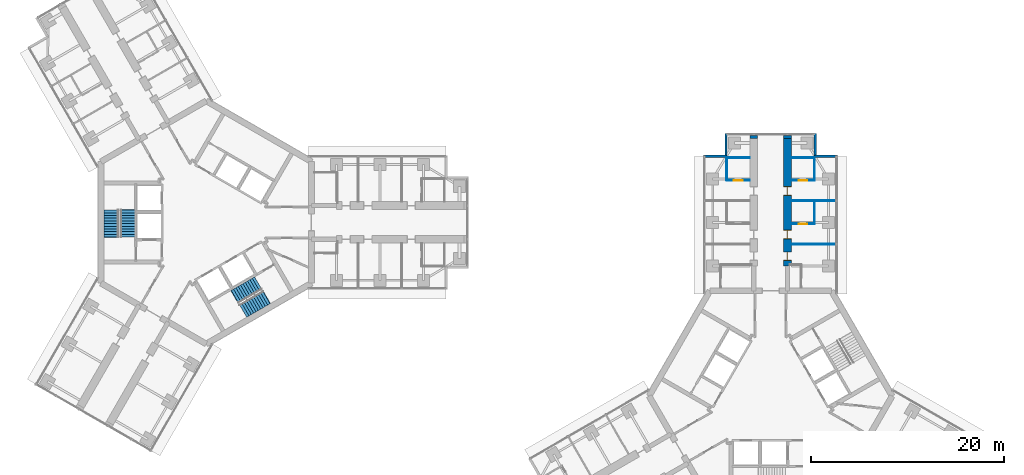
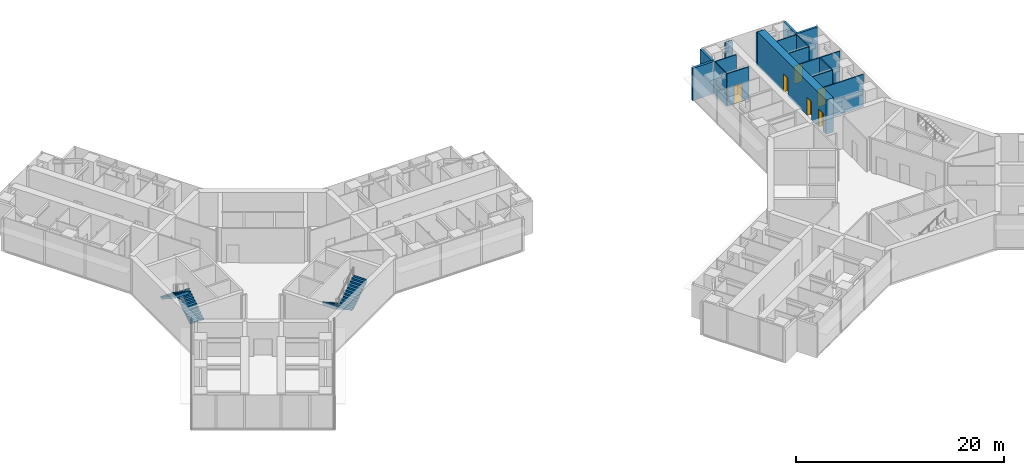
# One storey, part 21 of 23: 17 walls, 6 doors, 4 stair flights, 6 openings, 2 elements without a shape of their own.
"""IFC4 building model written with IfcOpenShell, lengths in metres."""

from ifc_helpers import new_model, si_unit, direction, frame, frame_2d, origin, place, context, subcontext, project, spatial, polyline, rectangle, outline, extrude, material, layer, layer_set, type_object, element, fill, aggregate, save


model = new_model("IFC4")

# Units and contexts
model_context = context("Model", 3, precision=1e-05, world=origin(), true_north=direction((0.0, 1.0)))
body_context = subcontext(model_context, "Body", "Model", "MODEL_VIEW")
ifc_project = project(units=[si_unit("LENGTHUNIT", "METRE"), si_unit("AREAUNIT", "SQUARE_METRE"), si_unit("VOLUMEUNIT", "CUBIC_METRE"), si_unit("PLANEANGLEUNIT", "RADIAN"), si_unit("MASSUNIT", "GRAM", prefix="KILO")], contexts=[model_context])

# Site, building, storey
site_placement = place(None, origin())
site = spatial("IfcSite", under=ifc_project, at=site_placement, CompositionType="ELEMENT")
building_placement = place(site_placement, origin())
building = spatial("IfcBuilding", under=site, at=building_placement, Name="Upepo Twin Towers", CompositionType="ELEMENT")
storey_placement = place(building_placement, frame((0.0, 0.0, 153.5)))
storey = spatial("IfcBuildingStorey", under=building, at=storey_placement, Name="L37", CompositionType="ELEMENT", Elevation=153.5)

# Walls
ifc_material_1 = material(Name="Dense concrete blockwork", Category="masonry")
ifc_layer_1 = layer(ifc_material_1, 0.800048828125)
ifc_layer_set_1 = layer_set([ifc_layer_1], Name="Buttress closer 800, blockwork with fire-stopping to the curtain wall")
wall_type_1 = type_object("IfcWallType", Name="Buttress closer 800, blockwork with fire-stopping to the curtain wall", PredefinedType="PARTITIONING", material=ifc_layer_set_1)
for number, where, z_axis, x_axis, name in (
    (1, (56.75, 8.699951171875, 0.0), (0.0, 0.0, 1.0), (0.0, 1.0, 0.0), "T2 L37 wing A buttress closer L"),
    (2, (60.25, 8.699951171875, 0.0), (0.0, 0.0, 1.0), (0.0, 1.0, 0.0), "T2 L37 wing A buttress closer R"),
):
    element("IfcWall", number, at=place(storey_placement, frame(where, z_axis=z_axis, x_axis=x_axis)), inside=storey, type_object=wall_type_1, Name=name, PredefinedType="PARTITIONING", context=body_context, shape_type="SweptSolid", body=[
        extrude(rectangle(XDim=0.300048828125, YDim=0.800048828125, at=frame_2d((0.14990234375, 0.0))), origin(), (0.0, 0.0, 1.0), 3.800048828125),
    ])

# Wall, openings, doors
ifc_material_2 = material(Name="Concrete C60/75", Category="concrete")
ifc_layer_2 = layer(ifc_material_2, 0.800048828125)
ifc_layer_set_2 = layer_set([ifc_layer_2], Name="Concrete C60/75")
wall_type_2 = type_object("IfcWallType", Name="Buttress wall 800 RC", PredefinedType="SHEAR", material=ifc_layer_set_2)
wall_1_placement = place(storey_placement, frame((60.25, -4.5, 0.0), z_axis=(0.0, 0.0, 1.0), x_axis=(0.0, 1.0, 0.0)))
wall_1 = element("IfcWall", 3, at=wall_1_placement, inside=storey, type_object=wall_type_2, Name="T2 wing A buttress wall R part 2", PredefinedType="SHEAR", context=body_context, shape_type="SweptSolid", body=[
    extrude(rectangle(XDim=13.199951171875, YDim=0.800048828125, at=frame_2d((6.60009765625, 0.0))), origin(), (0.0, 0.0, 1.0), 4.0),
])
opening_1_placement = place(wall_1_placement, frame((0.550048828125, 0.0, 0.0)))
opening_1 = element("IfcOpeningElement", 4, at=opening_1_placement, cuts=wall_1, Name="Opening D11", PredefinedType="OPENING", context=body_context, shape_type="SweptSolid", body=[
    extrude(rectangle(XDim=0.89990234375, YDim=2.10009765625, at=frame_2d((0.449951171875, 1.050048828125))), frame((0.0, 0.409912109375, 0.0), z_axis=(0.0, -1.0, 0.0), x_axis=(1.0, 0.0, 0.0)), (0.0, 0.0, 1.0), 0.820068359375),
])
opening_2_placement = place(wall_1_placement, frame((2.800048828125, 0.0, 0.0)))
opening_2 = element("IfcOpeningElement", 5, at=opening_2_placement, cuts=wall_1, Name="Opening D14", PredefinedType="OPENING", context=body_context, shape_type="SweptSolid", body=[
    extrude(rectangle(XDim=0.89990234375, YDim=2.10009765625, at=frame_2d((0.449951171875, 1.050048828125))), frame((0.0, 0.409912109375, 0.0), z_axis=(0.0, -1.0, 0.0), x_axis=(1.0, 0.0, 0.0)), (0.0, 0.0, 1.0), 0.820068359375),
])
opening_3_placement = place(wall_1_placement, frame((7.300048828125, 0.0, 0.0)))
opening_3 = element("IfcOpeningElement", 6, at=opening_3_placement, cuts=wall_1, Name="Opening D14", PredefinedType="OPENING", context=body_context, shape_type="SweptSolid", body=[
    extrude(rectangle(XDim=0.89990234375, YDim=2.10009765625, at=frame_2d((0.449951171875, 1.050048828125))), frame((0.0, 0.409912109375, 0.0), z_axis=(0.0, -1.0, 0.0), x_axis=(1.0, 0.0, 0.0)), (0.0, 0.0, 1.0), 0.820068359375),
])
ifc_material_3 = material(Name="Timber doorset", Category="wood")
door_type_1 = type_object("IfcDoorType", Name="Office door 900 FD30", OperationType="SINGLE_SWING_LEFT", PredefinedType="DOOR", material=ifc_material_3)
door_1_placement = place(opening_2_placement, origin())
door_1 = element("IfcDoor", 7, at=door_1_placement, inside=storey, type_object=door_type_1, Name="T2 L37 staff office door", OperationType="SINGLE_SWING_LEFT", OverallHeight=2.10009765625, OverallWidth=0.89990234375, PredefinedType="DOOR", context=body_context, shape_type="SweptSolid", body=[
    extrude(rectangle(XDim=0.81990234375, YDim=2.06009765625, at=frame_2d((0.449951171875, 1.030029296875))), frame((0.0, 0.02490234375, 0.0), z_axis=(0.0, -1.0, 0.0), x_axis=(1.0, 0.0, 0.0)), (0.0, 0.0, 1.0), 0.050048828125),
    extrude(rectangle(XDim=0.04, YDim=2.10009765625, at=frame_2d((0.02001953125, 1.050048828125))), frame((0.0, 0.39990234375, 0.0), z_axis=(0.0, -1.0, 0.0), x_axis=(1.0, 0.0, 0.0)), (0.0, 0.0, 1.0), 0.799560546875),
    extrude(rectangle(XDim=0.04, YDim=2.10009765625, at=frame_2d((0.8798828125, 1.050048828125))), frame((0.0, 0.39990234375, 0.0), z_axis=(0.0, -1.0, 0.0), x_axis=(1.0, 0.0, 0.0)), (0.0, 0.0, 1.0), 0.799560546875),
    extrude(rectangle(XDim=0.81990234375, YDim=0.04, at=frame_2d((0.449951171875, 2.080078125))), frame((0.0, 0.39990234375, 0.0), z_axis=(0.0, -1.0, 0.0), x_axis=(1.0, 0.0, 0.0)), (0.0, 0.0, 1.0), 0.799560546875),
])
fill(opening_2, door_1)
door_2_placement = place(opening_3_placement, origin())
door_2 = element("IfcDoor", 8, at=door_2_placement, inside=storey, type_object=door_type_1, Name="T2 L37 postgraduate office door", OperationType="SINGLE_SWING_RIGHT", OverallHeight=2.10009765625, OverallWidth=0.89990234375, PredefinedType="DOOR", context=body_context, shape_type="SweptSolid", body=[
    extrude(rectangle(XDim=0.81990234375, YDim=2.06009765625, at=frame_2d((0.449951171875, 1.030029296875))), frame((0.0, 0.02490234375, 0.0), z_axis=(0.0, -1.0, 0.0), x_axis=(1.0, 0.0, 0.0)), (0.0, 0.0, 1.0), 0.050048828125),
    extrude(rectangle(XDim=0.04, YDim=2.10009765625, at=frame_2d((0.02001953125, 1.050048828125))), frame((0.0, 0.39990234375, 0.0), z_axis=(0.0, -1.0, 0.0), x_axis=(1.0, 0.0, 0.0)), (0.0, 0.0, 1.0), 0.799560546875),
    extrude(rectangle(XDim=0.04, YDim=2.10009765625, at=frame_2d((0.8798828125, 1.050048828125))), frame((0.0, 0.39990234375, 0.0), z_axis=(0.0, -1.0, 0.0), x_axis=(1.0, 0.0, 0.0)), (0.0, 0.0, 1.0), 0.799560546875),
    extrude(rectangle(XDim=0.81990234375, YDim=0.04, at=frame_2d((0.449951171875, 2.080078125))), frame((0.0, 0.39990234375, 0.0), z_axis=(0.0, -1.0, 0.0), x_axis=(1.0, 0.0, 0.0)), (0.0, 0.0, 1.0), 0.799560546875),
])
fill(opening_3, door_2)
ifc_material_4 = material(Name="Timber doorset", Category="wood")
door_type_2 = type_object("IfcDoorType", Name="Toilet door 900", OperationType="SINGLE_SWING_LEFT", PredefinedType="DOOR", material=ifc_material_4)
door_3_placement = place(opening_1_placement, origin())
door_3 = element("IfcDoor", 9, at=door_3_placement, inside=storey, type_object=door_type_2, Name="T2 L37 toilets door", OperationType="SINGLE_SWING_LEFT", OverallHeight=2.10009765625, OverallWidth=0.89990234375, PredefinedType="DOOR", context=body_context, shape_type="SweptSolid", body=[
    extrude(rectangle(XDim=0.81990234375, YDim=2.06009765625, at=frame_2d((0.449951171875, 1.030029296875))), frame((0.0, 0.02490234375, 0.0), z_axis=(0.0, -1.0, 0.0), x_axis=(1.0, 0.0, 0.0)), (0.0, 0.0, 1.0), 0.050048828125),
    extrude(rectangle(XDim=0.04, YDim=2.10009765625, at=frame_2d((0.02001953125, 1.050048828125))), frame((0.0, 0.39990234375, 0.0), z_axis=(0.0, -1.0, 0.0), x_axis=(1.0, 0.0, 0.0)), (0.0, 0.0, 1.0), 0.799560546875),
    extrude(rectangle(XDim=0.04, YDim=2.10009765625, at=frame_2d((0.8798828125, 1.050048828125))), frame((0.0, 0.39990234375, 0.0), z_axis=(0.0, -1.0, 0.0), x_axis=(1.0, 0.0, 0.0)), (0.0, 0.0, 1.0), 0.799560546875),
    extrude(rectangle(XDim=0.81990234375, YDim=0.04, at=frame_2d((0.449951171875, 2.080078125))), frame((0.0, 0.39990234375, 0.0), z_axis=(0.0, -1.0, 0.0), x_axis=(1.0, 0.0, 0.0)), (0.0, 0.0, 1.0), 0.799560546875),
])
fill(opening_1, door_3)

# Walls
ifc_material_5 = material(Name="Blockwork with anodised aluminium cladding", Category="masonry")
ifc_layer_3 = layer(ifc_material_5, 0.25)
ifc_layer_set_3 = layer_set([ifc_layer_3], Name="Notch cladding wall 250, pale metal")
wall_type_3 = type_object("IfcWallType", Name="Notch cladding wall 250, pale metal", PredefinedType="STANDARD", material=ifc_layer_set_3)
for number, where, z_axis, x_axis, name in (
    (10, (51.550048828125, 6.875, 0.0), (0.0, 0.0, 1.0), (1.0, 0.0, 0.0), "T2 L37 wing A notch wall L1"),
    (11, (53.875, 6.875, 0.0), (0.0, 0.0, 1.0), (0.0, 1.0, 0.0), "T2 L37 wing A notch wall L2"),
    (12, (65.449951171875, 6.875, 0.0), (0.0, 0.0, 1.0), (-1.0, 0.0, 0.0), "T2 L37 wing A notch wall R1"),
    (13, (63.125, 6.875, 0.0), (0.0, 0.0, 1.0), (0.0, 1.0, 0.0), "T2 L37 wing A notch wall R2"),
):
    element("IfcWall", number, at=place(storey_placement, frame(where, z_axis=z_axis, x_axis=x_axis)), inside=storey, type_object=wall_type_3, Name=name, PredefinedType="STANDARD", context=body_context, shape_type="SweptSolid", body=[
        extrude(rectangle(XDim=2.324951171875, YDim=0.25, at=frame_2d((1.16259765625, 0.0))), origin(), (0.0, 0.0, 1.0), 3.800048828125),
    ])
ifc_material_6 = material(Name="Gypsum board on steel studs", Category="steel")
ifc_layer_4 = layer(ifc_material_6, 0.10009765625)
ifc_layer_set_4 = layer_set([ifc_layer_4], Name="Office partition 100 stud")
wall_type_4 = type_object("IfcWallType", Name="Office partition 100 stud", PredefinedType="PARTITIONING", material=ifc_layer_set_4)
wall_2_placement = place(storey_placement, frame((53.949951171875, 4.35009765625, 0.0), z_axis=(0.0, 0.0, 1.0), x_axis=(0.0, 1.0, 0.0)))
element("IfcWall", 14, at=wall_2_placement, inside=storey, type_object=wall_type_4, Name="T2 inner room partition AL at 22.35", PredefinedType="PARTITIONING", context=body_context, shape_type="SweptSolid", body=[
    extrude(rectangle(XDim=2.39990234375, YDim=0.10009765625, at=frame_2d((1.199951171875, 0.0))), origin(), (0.0, 0.0, 1.0), 3.800048828125),
])

# Wall, opening, door
wall_3_placement = place(storey_placement, frame((56.35009765625, 4.35009765625, 0.0), z_axis=(0.0, 0.0, 1.0), x_axis=(-1.0, 0.0, 0.0)))
wall_3 = element("IfcWall", 15, at=wall_3_placement, inside=storey, type_object=wall_type_4, Name="T2 inner room partition AL end at 22.35", PredefinedType="PARTITIONING", context=body_context, shape_type="SweptSolid", body=[
    extrude(rectangle(XDim=2.400146484375, YDim=0.10009765625, at=frame_2d((1.2001953125, 0.0))), origin(), (0.0, 0.0, 1.0), 3.800048828125),
])
opening_4_placement = place(wall_3_placement, frame((0.75, 0.0, 0.0)))
opening_4 = element("IfcOpeningElement", 16, at=opening_4_placement, cuts=wall_3, Name="Opening D14", PredefinedType="OPENING", context=body_context, shape_type="SweptSolid", body=[
    extrude(rectangle(XDim=0.89990234375, YDim=2.10009765625, at=frame_2d((0.449951171875, 1.050048828125))), frame((0.0, 0.06005859375, 0.0), z_axis=(0.0, -1.0, 0.0), x_axis=(1.0, 0.0, 0.0)), (0.0, 0.0, 1.0), 0.1201171875),
])
door_4_placement = place(opening_4_placement, origin())
door_4 = element("IfcDoor", 17, at=door_4_placement, inside=storey, type_object=door_type_1, Name="T2 L37 inner room door", OperationType="SINGLE_SWING_LEFT", OverallHeight=2.10009765625, OverallWidth=0.89990234375, PredefinedType="DOOR", context=body_context, shape_type="SweptSolid", body=[
    extrude(rectangle(XDim=0.89990234375, YDim=2.10009765625, at=frame_2d((0.449951171875, 1.050048828125))), frame((0.0, 0.02490234375, 0.0), z_axis=(0.0, -1.0, 0.0), x_axis=(1.0, 0.0, 0.0)), (0.0, 0.0, 1.0), 0.050048828125),
])
fill(opening_4, door_4)

# Walls
wall_4_placement = place(storey_placement, frame((56.35009765625, 6.699951171875, 0.0), z_axis=(0.0, 0.0, 1.0), x_axis=(-1.0, 0.0, 0.0)))
element("IfcWall", 18, at=wall_4_placement, inside=storey, type_object=wall_type_4, Name="T2 inner room partition AL end at 24.75", PredefinedType="PARTITIONING", context=body_context, shape_type="SweptSolid", body=[
    extrude(rectangle(XDim=2.400146484375, YDim=0.10009765625, at=frame_2d((1.2001953125, 0.0))), origin(), (0.0, 0.0, 1.0), 3.800048828125),
])
for number, where, z_axis, x_axis, name in (
    (19, (60.64990234375, -2.25, 0.0), (0.0, 0.0, 1.0), (1.0, 0.0, 0.0), "T2 partition AR at 15.75"),
    (20, (60.64990234375, 2.25, 0.0), (0.0, 0.0, 1.0), (1.0, 0.0, 0.0), "T2 partition AR at 20.25"),
):
    element("IfcWall", number, at=place(storey_placement, frame(where, z_axis=z_axis, x_axis=x_axis)), inside=storey, type_object=wall_type_4, Name=name, PredefinedType="PARTITIONING", context=body_context, shape_type="SweptSolid", body=[
        extrude(rectangle(XDim=4.60009765625, YDim=0.10009765625, at=frame_2d((2.300048828125, 0.0))), origin(), (0.0, 0.0, 1.0), 3.800048828125),
    ])
wall_5_placement = place(storey_placement, frame((63.050048828125, -0.14990234375, 0.0), z_axis=(0.0, 0.0, 1.0), x_axis=(0.0, 1.0, 0.0)))
element("IfcWall", 21, at=wall_5_placement, inside=storey, type_object=wall_type_4, Name="T2 inner room partition AR at 17.85", PredefinedType="PARTITIONING", context=body_context, shape_type="SweptSolid", body=[
    extrude(rectangle(XDim=2.39990234375, YDim=0.10009765625, at=frame_2d((1.199951171875, 0.0))), origin(), (0.0, 0.0, 1.0), 3.800048828125),
])

# Wall, opening, door
wall_6_placement = place(storey_placement, frame((60.64990234375, -0.14990234375, 0.0), z_axis=(0.0, 0.0, 1.0), x_axis=(1.0, 0.0, 0.0)))
wall_6 = element("IfcWall", 22, at=wall_6_placement, inside=storey, type_object=wall_type_4, Name="T2 inner room partition AR end at 17.85", PredefinedType="PARTITIONING", context=body_context, shape_type="SweptSolid", body=[
    extrude(rectangle(XDim=2.400146484375, YDim=0.10009765625, at=frame_2d((1.2001953125, 0.0))), origin(), (0.0, 0.0, 1.0), 3.800048828125),
])
opening_5_placement = place(wall_6_placement, frame((0.75, 0.0, 0.0)))
opening_5 = element("IfcOpeningElement", 23, at=opening_5_placement, cuts=wall_6, Name="Opening D14", PredefinedType="OPENING", context=body_context, shape_type="SweptSolid", body=[
    extrude(rectangle(XDim=0.89990234375, YDim=2.10009765625, at=frame_2d((0.449951171875, 1.050048828125))), frame((0.0, 0.06005859375, 0.0), z_axis=(0.0, -1.0, 0.0), x_axis=(1.0, 0.0, 0.0)), (0.0, 0.0, 1.0), 0.1201171875),
])
door_5_placement = place(opening_5_placement, origin())
door_5 = element("IfcDoor", 24, at=door_5_placement, inside=storey, type_object=door_type_1, Name="T2 L37 inner room door", OperationType="SINGLE_SWING_LEFT", OverallHeight=2.10009765625, OverallWidth=0.89990234375, PredefinedType="DOOR", context=body_context, shape_type="SweptSolid", body=[
    extrude(rectangle(XDim=0.89990234375, YDim=2.10009765625, at=frame_2d((0.449951171875, 1.050048828125))), frame((0.0, 0.02490234375, 0.0), z_axis=(0.0, -1.0, 0.0), x_axis=(1.0, 0.0, 0.0)), (0.0, 0.0, 1.0), 0.050048828125),
])
fill(opening_5, door_5)

# Wall
wall_7_placement = place(storey_placement, frame((63.050048828125, 4.35009765625, 0.0), z_axis=(0.0, 0.0, 1.0), x_axis=(0.0, 1.0, 0.0)))
element("IfcWall", 25, at=wall_7_placement, inside=storey, type_object=wall_type_4, Name="T2 inner room partition AR at 22.35", PredefinedType="PARTITIONING", context=body_context, shape_type="SweptSolid", body=[
    extrude(rectangle(XDim=2.39990234375, YDim=0.10009765625, at=frame_2d((1.199951171875, 0.0))), origin(), (0.0, 0.0, 1.0), 3.800048828125),
])

# Wall, opening, door
wall_8_placement = place(storey_placement, frame((60.64990234375, 4.35009765625, 0.0), z_axis=(0.0, 0.0, 1.0), x_axis=(1.0, 0.0, 0.0)))
wall_8 = element("IfcWall", 26, at=wall_8_placement, inside=storey, type_object=wall_type_4, Name="T2 inner room partition AR end at 22.35", PredefinedType="PARTITIONING", context=body_context, shape_type="SweptSolid", body=[
    extrude(rectangle(XDim=2.400146484375, YDim=0.10009765625, at=frame_2d((1.2001953125, 0.0))), origin(), (0.0, 0.0, 1.0), 3.800048828125),
])
opening_6_placement = place(wall_8_placement, frame((0.75, 0.0, 0.0)))
opening_6 = element("IfcOpeningElement", 27, at=opening_6_placement, cuts=wall_8, Name="Opening D14", PredefinedType="OPENING", context=body_context, shape_type="SweptSolid", body=[
    extrude(rectangle(XDim=0.89990234375, YDim=2.10009765625, at=frame_2d((0.449951171875, 1.050048828125))), frame((0.0, 0.06005859375, 0.0), z_axis=(0.0, -1.0, 0.0), x_axis=(1.0, 0.0, 0.0)), (0.0, 0.0, 1.0), 0.1201171875),
])
door_6_placement = place(opening_6_placement, origin())
door_6 = element("IfcDoor", 28, at=door_6_placement, inside=storey, type_object=door_type_1, Name="T2 L37 inner room door", OperationType="SINGLE_SWING_LEFT", OverallHeight=2.10009765625, OverallWidth=0.89990234375, PredefinedType="DOOR", context=body_context, shape_type="SweptSolid", body=[
    extrude(rectangle(XDim=0.89990234375, YDim=2.10009765625, at=frame_2d((0.449951171875, 1.050048828125))), frame((0.0, 0.02490234375, 0.0), z_axis=(0.0, -1.0, 0.0), x_axis=(1.0, 0.0, 0.0)), (0.0, 0.0, 1.0), 0.050048828125),
])
fill(opening_6, door_6)

# Wall
wall_9_placement = place(storey_placement, frame((60.64990234375, 6.699951171875, 0.0), z_axis=(0.0, 0.0, 1.0), x_axis=(1.0, 0.0, 0.0)))
element("IfcWall", 29, at=wall_9_placement, inside=storey, type_object=wall_type_4, Name="T2 inner room partition AR end at 24.75", PredefinedType="PARTITIONING", context=body_context, shape_type="SweptSolid", body=[
    extrude(rectangle(XDim=2.400146484375, YDim=0.10009765625, at=frame_2d((1.2001953125, 0.0))), origin(), (0.0, 0.0, 1.0), 3.800048828125),
])

# Stair, stair flights
ifc_material_7 = material(Name="Concrete C40/50", Category="concrete")
stair_type = type_object("IfcStairType", Name="Core stair, two flights", PredefinedType="HALF_TURN_STAIR", material=ifc_material_7)
stair_1_placement = place(storey_placement, origin())
stair_1 = element("IfcStair", 30, at=stair_1_placement, inside=storey, type_object=stair_type, Name="T1 stair S1 L37", PredefinedType="HALF_TURN_STAIR")
ifc_material_8 = material(Name="Concrete C40/50", Category="concrete")
stair_flight_type = type_object("IfcStairFlightType", Name="Stair flight 1500 RC", PredefinedType="STRAIGHT", material=ifc_material_8)
stair_flight_1_placement = place(storey_placement, frame((-8.14990234375, -1.52001953125, 0.0), z_axis=(0.0, 0.0, 1.0), x_axis=(0.0, 1.0, 0.0)))
stair_flight_1 = element("IfcStairFlight", 31, at=stair_flight_1_placement, type_object=stair_flight_type, Name="Stair S1 flight 1", NumberOfRisers=11, NumberOfTreads=10, PredefinedType="STRAIGHT", RiserHeight=0.181818182, TreadLength=0.28, context=body_context, shape_type="SweptSolid", body=[
    extrude(outline(polyline([(0.0, 0.0), (0.0, 0.181884765625), (0.280029296875, 0.181884765625), (0.280029296875, 0.363525390625), (0.56005859375, 0.363525390625), (0.56005859375, 0.54541015625), (0.840087890625, 0.54541015625), (0.840087890625, 0.727294921875), (1.1201171875, 0.727294921875), (1.1201171875, 0.9091796875), (1.39990234375, 0.9091796875), (1.39990234375, 1.0908203125), (1.679931640625, 1.0908203125), (1.679931640625, 1.272705078125), (1.9599609375, 1.272705078125), (1.9599609375, 1.45458984375), (2.239990234375, 1.45458984375), (2.239990234375, 1.636474609375), (2.52001953125, 1.636474609375), (2.52001953125, 1.818115234375), (2.800048828125, 1.818115234375), (2.800048828125, 2.0), (2.85009765625, 2.0), (2.85009765625, 1.639404296875), (0.3251953125, 0.0), (0.0, 0.0)])), frame((0.0, 0.75, 0.0), z_axis=(0.0, -1.0, 0.0), x_axis=(1.0, 0.0, 0.0)), (0.0, 0.0, 1.0), 1.5),
])
stair_flight_2_placement = place(storey_placement, frame((-9.8583984375, 1.280029296875, 2.0), z_axis=(0.0, 0.0, 1.0), x_axis=(0.0, -1.0, 0.0)))
stair_flight_2 = element("IfcStairFlight", 32, at=stair_flight_2_placement, type_object=stair_flight_type, Name="Stair S1 flight 2", NumberOfRisers=11, NumberOfTreads=10, PredefinedType="STRAIGHT", RiserHeight=0.181818182, TreadLength=0.28, context=body_context, shape_type="SweptSolid", body=[
    extrude(outline(polyline([(0.0, 0.0), (0.0, 0.181884765625), (0.280029296875, 0.181884765625), (0.280029296875, 0.363525390625), (0.56005859375, 0.363525390625), (0.56005859375, 0.54541015625), (0.840087890625, 0.54541015625), (0.840087890625, 0.727294921875), (1.1201171875, 0.727294921875), (1.1201171875, 0.9091796875), (1.39990234375, 0.9091796875), (1.39990234375, 1.0908203125), (1.679931640625, 1.0908203125), (1.679931640625, 1.272705078125), (1.9599609375, 1.272705078125), (1.9599609375, 1.45458984375), (2.239990234375, 1.45458984375), (2.239990234375, 1.636474609375), (2.52001953125, 1.636474609375), (2.52001953125, 1.818115234375), (2.800048828125, 1.818115234375), (2.800048828125, 2.0), (2.85009765625, 2.0), (2.85009765625, 1.639404296875), (0.3251953125, 0.0), (0.0, 0.0)])), frame((0.0, 0.75, 0.0), z_axis=(0.0, -1.0, 0.0), x_axis=(1.0, 0.0, 0.0)), (0.0, 0.0, 1.0), 1.5),
])
aggregate(stair_1, [stair_flight_1, stair_flight_2])

stair_2_placement = place(storey_placement, origin())
stair_2 = element("IfcStair", 33, at=stair_2_placement, inside=storey, type_object=stair_type, Name="T1 stair S2 L37", PredefinedType="HALF_TURN_STAIR")
stair_flight_3_placement = place(storey_placement, frame((5.391357421875, -6.298095703125, 0.0), z_axis=(0.0, 0.0, 1.0), x_axis=(-0.866025403784, -0.5, 0.0)))
stair_flight_3 = element("IfcStairFlight", 34, at=stair_flight_3_placement, type_object=stair_flight_type, Name="Stair S2 flight 1", NumberOfRisers=11, NumberOfTreads=10, PredefinedType="STRAIGHT", RiserHeight=0.181818182, TreadLength=0.28, context=body_context, shape_type="SweptSolid", body=[
    extrude(outline(polyline([(0.0, 0.0), (0.0, 0.181884765625), (0.280029296875, 0.181884765625), (0.280029296875, 0.363525390625), (0.56005859375, 0.363525390625), (0.56005859375, 0.54541015625), (0.840087890625, 0.54541015625), (0.840087890625, 0.727294921875), (1.1201171875, 0.727294921875), (1.1201171875, 0.9091796875), (1.39990234375, 0.9091796875), (1.39990234375, 1.0908203125), (1.679931640625, 1.0908203125), (1.679931640625, 1.272705078125), (1.9599609375, 1.272705078125), (1.9599609375, 1.45458984375), (2.239990234375, 1.45458984375), (2.239990234375, 1.636474609375), (2.52001953125, 1.636474609375), (2.52001953125, 1.818115234375), (2.800048828125, 1.818115234375), (2.800048828125, 2.0), (2.85009765625, 2.0), (2.85009765625, 1.639404296875), (0.3251953125, 0.0), (0.0, 0.0)])), frame((0.0, 0.75, 0.0), z_axis=(0.0, -1.0, 0.0), x_axis=(1.0, 0.0, 0.0)), (0.0, 0.0, 1.0), 1.5),
])
stair_flight_4_placement = place(storey_placement, frame((3.820556640625, -9.177490234375, 2.0), z_axis=(0.0, 0.0, 1.0), x_axis=(0.866025403784, 0.5, 0.0)))
stair_flight_4 = element("IfcStairFlight", 35, at=stair_flight_4_placement, type_object=stair_flight_type, Name="Stair S2 flight 2", NumberOfRisers=11, NumberOfTreads=10, PredefinedType="STRAIGHT", RiserHeight=0.181818182, TreadLength=0.28, context=body_context, shape_type="SweptSolid", body=[
    extrude(outline(polyline([(0.0, 0.0), (0.0, 0.181884765625), (0.280029296875, 0.181884765625), (0.280029296875, 0.363525390625), (0.56005859375, 0.363525390625), (0.56005859375, 0.54541015625), (0.840087890625, 0.54541015625), (0.840087890625, 0.727294921875), (1.1201171875, 0.727294921875), (1.1201171875, 0.9091796875), (1.39990234375, 0.9091796875), (1.39990234375, 1.0908203125), (1.679931640625, 1.0908203125), (1.679931640625, 1.272705078125), (1.9599609375, 1.272705078125), (1.9599609375, 1.45458984375), (2.239990234375, 1.45458984375), (2.239990234375, 1.636474609375), (2.52001953125, 1.636474609375), (2.52001953125, 1.818115234375), (2.800048828125, 1.818115234375), (2.800048828125, 2.0), (2.85009765625, 2.0), (2.85009765625, 1.639404296875), (0.3251953125, 0.0), (0.0, 0.0)])), frame((0.0, 0.75, 0.0), z_axis=(0.0, -1.0, 0.0), x_axis=(1.0, 0.0, 0.0)), (0.0, 0.0, 1.0), 1.5),
])
aggregate(stair_2, [stair_flight_3, stair_flight_4])

save(model, "model.ifc")
